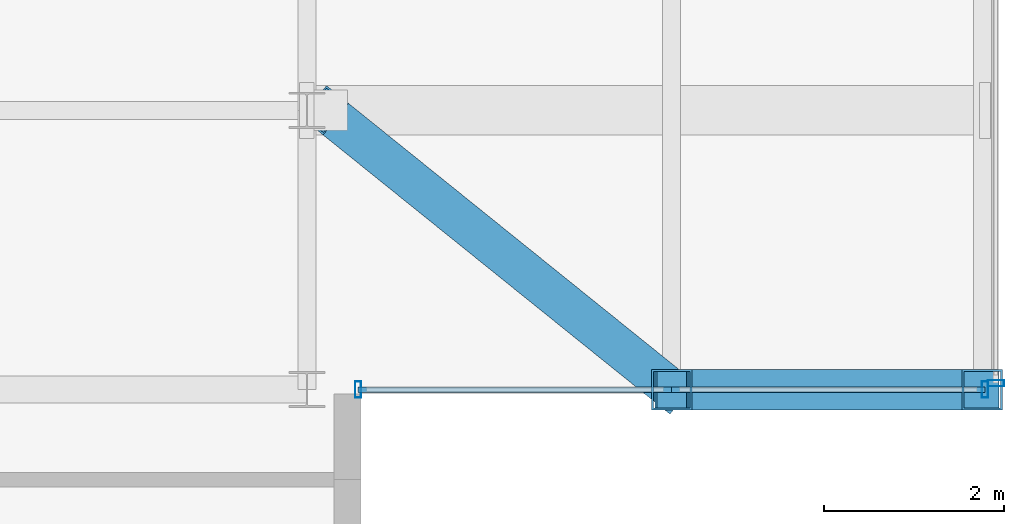
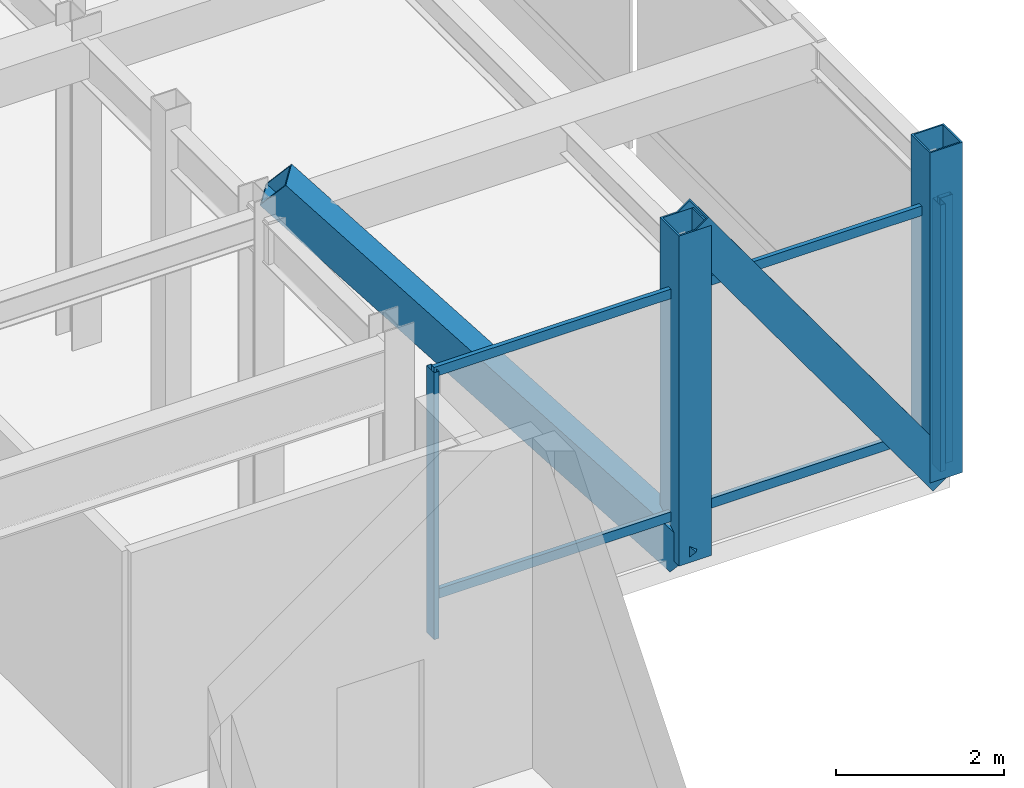
# One storey, part 10 of 26: 11 members, 2 elements without a shape of their own.
"""IFC4 building model written with IfcOpenShell, lengths in metres."""

from ifc_helpers import new_model, si_unit, direction, frame, origin, origin_2d, place, context, subcontext, project, spatial, hollow_rectangle, extrude, material, layer, layer_set, material_profile, profile_set, type_object, element, aggregate, save


model = new_model("IFC4")

# Units and contexts
model_context = context("Model", 3, precision=1e-05, world=origin(), true_north=direction((0.0, 1.0)))
body_context = subcontext(model_context, "Body", "Model", "MODEL_VIEW")
ifc_project = project(units=[si_unit("LENGTHUNIT", "METRE"), si_unit("AREAUNIT", "SQUARE_METRE"), si_unit("VOLUMEUNIT", "CUBIC_METRE"), si_unit("PLANEANGLEUNIT", "RADIAN"), si_unit("MASSUNIT", "GRAM", prefix="KILO")], contexts=[model_context])

# Site, building, storey
site_placement = place(None, origin())
site = spatial("IfcSite", under=ifc_project, at=site_placement, CompositionType="ELEMENT")
building_placement = place(site_placement, origin())
building = spatial("IfcBuilding", under=site, at=building_placement, Name="Veldorina Hangang Commons", CompositionType="ELEMENT")
storey_placement = place(building_placement, frame((0.0, 0.0, 5.199951171875)))
storey = spatial("IfcBuildingStorey", under=building, at=storey_placement, Name="L01", CompositionType="ELEMENT", Elevation=5.199951171875)

# Members
ifc_material_1 = material(Name="Steel SM420-TMC", Category="steel")
ifc_material_profile_1 = material_profile(ifc_material_1, hollow_rectangle(XDim=0.449951171875, YDim=0.449951171875, WallThickness=0.02197265625, at=origin_2d()), Name="SHS-450x450x22")
ifc_profile_set_1 = profile_set([ifc_material_profile_1], Name="Steel SM420-TMC")
member_type_1 = type_object("IfcMemberType", Name="CNT-SHS450", PredefinedType="BRACE", material=ifc_profile_set_1)
for number, where, z_axis, x_axis, name in (
    (1, (63.60009765625, 16.550048828125, 0.0), (0.0, 0.0, 1.0), (1.0, 0.0, 0.0), "L01 lounge truss vertical S-P1"),
    (2, (67.050048828125, 16.550048828125, 0.0), (0.0, 0.0, 1.0), (1.0, 0.0, 0.0), "L01 lounge truss vertical S-P2"),
):
    element("IfcMember", number, at=place(storey_placement, frame(where, z_axis=z_axis, x_axis=x_axis)), inside=storey, type_object=member_type_1, Name=name, PredefinedType="BRACE", context=body_context, shape_type="SweptSolid", body=[
        extrude(hollow_rectangle(XDim=0.449951171875, YDim=0.449951171875, WallThickness=0.02197265625, at=origin_2d()), origin(), (0.0, 0.0, 1.0), 4.800048828125),
    ])
member_1_placement = place(storey_placement, frame((59.75, 19.64990234375, 4.800048828125), z_axis=(0.558790821846, -0.449902794228, -0.696663687274), x_axis=(0.627131486935, 0.778913408598, 0.0)))
element("IfcMember", 3, at=member_1_placement, inside=storey, type_object=member_type_1, Name="L01 lounge truss diagonal S-D1", PredefinedType="BRACE", context=body_context, shape_type="SweptSolid", body=[
    extrude(hollow_rectangle(XDim=0.449951171875, YDim=0.449951171875, WallThickness=0.02197265625, at=origin_2d()), origin(), (0.0, 0.0, 1.0), 6.89013671875),
])
member_2_placement = place(storey_placement, frame((63.60009765625, 16.550048828125, 4.800048828125), z_axis=(0.583626686872, 0.0, -0.812022099681), x_axis=(0.0, 1.0, 0.0)))
element("IfcMember", 4, at=member_2_placement, inside=storey, type_object=member_type_1, Name="L01 lounge truss diagonal S-D2", PredefinedType="BRACE", context=body_context, shape_type="SweptSolid", body=[
    extrude(hollow_rectangle(XDim=0.449951171875, YDim=0.449951171875, WallThickness=0.02197265625, at=origin_2d()), origin(), (0.0, 0.0, 1.0), 5.9111328125),
])

# Curtain wall, members
ifc_material_2 = material(Name="Glass Low-E Solar Control", Category="glass")
ifc_layer = layer(ifc_material_2, 0.179931640625)
ifc_layer_set = layer_set([ifc_layer], Name="Glass Low-E Solar Control")
curtain_wall_type = type_object("IfcCurtainWallType", Name="CW-SYS-CANT", PredefinedType="NOTDEFINED", material=ifc_layer_set)
curtain_wall_1_placement = place(storey_placement, origin())
curtain_wall_1 = element("IfcCurtainWall", 5, at=curtain_wall_1_placement, inside=storey, type_object=curtain_wall_type, Name="L01 unitised curtain wall CW-L01-CANT-S", PredefinedType="NOTDEFINED")
ifc_material_3 = material(Name="Aluminium Anodized AA6063-T6", Category="aluminium")
ifc_material_profile_2 = material_profile(ifc_material_3, hollow_rectangle(XDim=0.070068359375, YDim=0.179931640625, WallThickness=0.00390625, at=origin_2d()), Name="ALU-RHS-180x70x4")
ifc_profile_set_2 = profile_set([ifc_material_profile_2], Name="Aluminium Anodized AA6063-T6")
member_type_2 = type_object("IfcMemberType", Name="CW-MUL-180", PredefinedType="MULLION", material=ifc_profile_set_2)
member_3_placement = place(storey_placement, frame((60.1201171875, 16.550048828125, 0.0), z_axis=(0.0, 0.0, 1.0), x_axis=(1.0, 0.0, 0.0)))
member_3 = element("IfcMember", 6, at=member_3_placement, type_object=member_type_2, Name="CW-L01-CANT-S vertical mullion 1", PredefinedType="MULLION", context=body_context, shape_type="SweptSolid", body=[
    extrude(hollow_rectangle(XDim=0.070068359375, YDim=0.179931640625, WallThickness=0.00390625, at=origin_2d()), origin(), (0.0, 0.0, 1.0), 3.880126953125),
])
member_4_placement = place(storey_placement, frame((67.080078125, 16.550048828125, 0.0), z_axis=(0.0, 0.0, 1.0), x_axis=(-1.0, 0.0, 0.0)))
member_4 = element("IfcMember", 7, at=member_4_placement, type_object=member_type_2, Name="CW-L01-CANT-S vertical mullion 2", PredefinedType="MULLION", context=body_context, shape_type="SweptSolid", body=[
    extrude(hollow_rectangle(XDim=0.070068359375, YDim=0.179931640625, WallThickness=0.00390625, at=origin_2d()), origin(), (0.0, 0.0, 1.0), 3.880126953125),
])

# Curtain wall, member
curtain_wall_2_placement = place(storey_placement, origin())
curtain_wall_2 = element("IfcCurtainWall", 8, at=curtain_wall_2_placement, inside=storey, type_object=curtain_wall_type, Name="L01 unitised curtain wall CW-L01-CANT-E", PredefinedType="NOTDEFINED")
member_5_placement = place(storey_placement, frame((67.199951171875, 16.6201171875, 0.0), z_axis=(0.0, 0.0, 1.0), x_axis=(0.0, 1.0, 0.0)))
member_5 = element("IfcMember", 9, at=member_5_placement, type_object=member_type_2, Name="CW-L01-CANT-E vertical mullion 1", PredefinedType="MULLION", context=body_context, shape_type="SweptSolid", body=[
    extrude(hollow_rectangle(XDim=0.070068359375, YDim=0.179931640625, WallThickness=0.00390625, at=origin_2d()), origin(), (0.0, 0.0, 1.0), 3.880126953125),
])
aggregate(curtain_wall_2, [member_5])

# Member
ifc_material_profile_3 = material_profile(ifc_material_3, hollow_rectangle(XDim=0.06005859375, YDim=0.139892578125, WallThickness=0.00341796875, at=origin_2d()), Name="ALU-RHS-140x60x3.5")
ifc_profile_set_3 = profile_set([ifc_material_profile_3], Name="Aluminium Anodized AA6063-T6")
member_type_3 = type_object("IfcMemberType", Name="CW-TRN-140", PredefinedType="USERDEFINED", material=ifc_profile_set_3)
member_6_placement = place(storey_placement, frame((60.1201171875, 16.550048828125, 0.60009765625), z_axis=(1.0, 0.0, 0.0), x_axis=(0.0, 1.0, 0.0)))
member_6 = element("IfcMember", 10, at=member_6_placement, type_object=member_type_3, Name="CW-L01-CANT-S facet 1 transom 1", ObjectType="TRANSOM", PredefinedType="USERDEFINED", context=body_context, shape_type="SweptSolid", body=[
    extrude(hollow_rectangle(XDim=0.06005859375, YDim=0.139892578125, WallThickness=0.00341796875, at=origin_2d()), origin(), (0.0, 0.0, 1.0), 3.47998046875),
])

member_7_placement = place(storey_placement, frame((60.1201171875, 16.550048828125, 3.840087890625), z_axis=(1.0, 0.0, 0.0), x_axis=(0.0, 1.0, 0.0)))
member_7 = element("IfcMember", 11, at=member_7_placement, type_object=member_type_3, Name="CW-L01-CANT-S facet 1 transom 2", ObjectType="TRANSOM", PredefinedType="USERDEFINED", context=body_context, shape_type="SweptSolid", body=[
    extrude(hollow_rectangle(XDim=0.06005859375, YDim=0.139892578125, WallThickness=0.00341796875, at=origin_2d()), origin(), (0.0, 0.0, 1.0), 3.47998046875),
])

member_8_placement = place(storey_placement, frame((63.60009765625, 16.550048828125, 0.60009765625), z_axis=(1.0, 0.0, 0.0), x_axis=(0.0, 1.0, 0.0)))
member_8 = element("IfcMember", 12, at=member_8_placement, type_object=member_type_3, Name="CW-L01-CANT-S facet 2 transom 1", ObjectType="TRANSOM", PredefinedType="USERDEFINED", context=body_context, shape_type="SweptSolid", body=[
    extrude(hollow_rectangle(XDim=0.06005859375, YDim=0.139892578125, WallThickness=0.00341796875, at=origin_2d()), origin(), (0.0, 0.0, 1.0), 3.47998046875),
])

member_9_placement = place(storey_placement, frame((63.60009765625, 16.550048828125, 3.840087890625), z_axis=(1.0, 0.0, 0.0), x_axis=(0.0, 1.0, 0.0)))
member_9 = element("IfcMember", 13, at=member_9_placement, type_object=member_type_3, Name="CW-L01-CANT-S facet 2 transom 2", ObjectType="TRANSOM", PredefinedType="USERDEFINED", context=body_context, shape_type="SweptSolid", body=[
    extrude(hollow_rectangle(XDim=0.06005859375, YDim=0.139892578125, WallThickness=0.00341796875, at=origin_2d()), origin(), (0.0, 0.0, 1.0), 3.47998046875),
])

aggregate(curtain_wall_1, [member_3, member_4, member_6, member_7, member_8, member_9])

save(model, "model.ifc")
